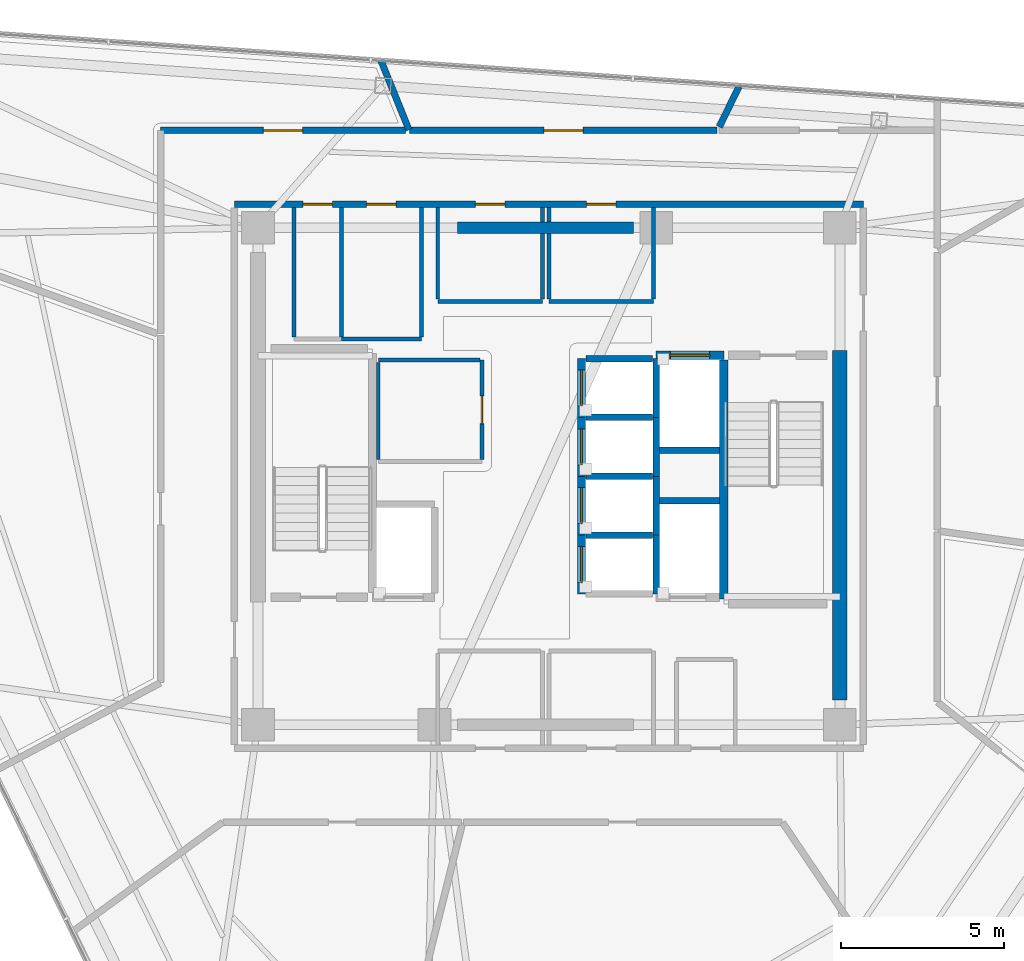
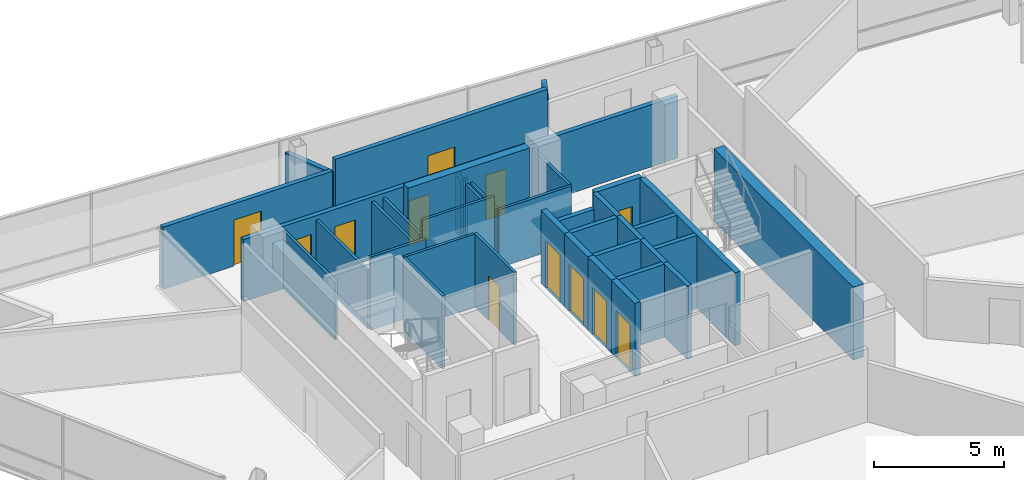
# One storey, part 10 of 13: 38 walls, 12 doors, 12 openings.
"""IFC4 building model written with IfcOpenShell, lengths in metres."""

from ifc_helpers import new_model, si_unit, direction, frame, frame_2d, origin, place, context, subcontext, project, spatial, rectangle, extrude, material, layer, layer_set, type_object, element, fill, save


model = new_model("IFC4")

# Units and contexts
model_context = context("Model", 3, precision=1e-05, world=origin(), true_north=direction((0.0, 1.0)))
body_context = subcontext(model_context, "Body", "Model", "MODEL_VIEW")
ifc_project = project(units=[si_unit("LENGTHUNIT", "METRE"), si_unit("AREAUNIT", "SQUARE_METRE"), si_unit("VOLUMEUNIT", "CUBIC_METRE"), si_unit("PLANEANGLEUNIT", "RADIAN"), si_unit("MASSUNIT", "GRAM", prefix="KILO")], contexts=[model_context])

# Site, building, storey
site_placement = place(None, origin())
site = spatial("IfcSite", under=ifc_project, at=site_placement, CompositionType="ELEMENT")
building_placement = place(site_placement, origin())
building = spatial("IfcBuilding", under=site, at=building_placement, Name="Tharavind Bronze Gate", CompositionType="ELEMENT")
storey_placement = place(building_placement, frame((0.0, 0.0, 234.25)))
storey = spatial("IfcBuildingStorey", under=building, at=storey_placement, Name="L60", CompositionType="ELEMENT", Elevation=234.25)

# Wall, openings, doors
ifc_material_1 = material(Name="Aerated Concrete Block", Category="concrete")
ifc_layer_1 = layer(ifc_material_1, 0.199951171875)
ifc_layer_set_1 = layer_set([ifc_layer_1], Name="Aerated Concrete Block")
wall_type_1 = type_object("IfcWallType", Name="FIRE RATED PARTITION 200", PredefinedType="PARTITIONING", material=ifc_layer_set_1)
wall_1_placement = place(storey_placement, frame((9.6201171875, 8.320068359375, 0.0), z_axis=(0.0, 0.0, 1.0), x_axis=(-1.0, 0.0, 0.0)))
wall_1 = element("IfcWall", 1, at=wall_1_placement, inside=storey, type_object=wall_type_1, Name="L60 north core corridor wall", PredefinedType="PARTITIONING", context=body_context, shape_type="SweptSolid", body=[
    extrude(rectangle(XDim=19.240234375, YDim=0.199951171875, at=frame_2d((9.6201171875, 0.0))), origin(), (0.0, 0.0, 1.0), 2.9150390625),
])
opening_1_placement = place(wall_1_placement, frame((10.969970703125, 0.0, 0.0)))
opening_1 = element("IfcOpeningElement", 2, at=opening_1_placement, cuts=wall_1, Name="Opening ID07", PredefinedType="OPENING", context=body_context, shape_type="SweptSolid", body=[
    extrude(rectangle(XDim=0.89990234375, YDim=2.10009765625, at=frame_2d((0.449951171875, 1.050048828125))), frame((0.0, 0.11009765625, 0.0), z_axis=(0.0, -1.0, 0.0), x_axis=(1.0, 0.0, 0.0)), (0.0, 0.0, 1.0), 0.219951171875),
])
opening_2_placement = place(wall_1_placement, frame((7.570068359375, 0.0, 0.0)))
opening_2 = element("IfcOpeningElement", 3, at=opening_2_placement, cuts=wall_1, Name="Opening ID07", PredefinedType="OPENING", context=body_context, shape_type="SweptSolid", body=[
    extrude(rectangle(XDim=0.89990234375, YDim=2.10009765625, at=frame_2d((0.449951171875, 1.050048828125))), frame((0.0, 0.11009765625, 0.0), z_axis=(0.0, -1.0, 0.0), x_axis=(1.0, 0.0, 0.0)), (0.0, 0.0, 1.0), 0.219951171875),
])
opening_3_placement = place(wall_1_placement, frame((16.2451171875, 0.0, 0.0)))
opening_3 = element("IfcOpeningElement", 4, at=opening_3_placement, cuts=wall_1, Name="Opening ID07", PredefinedType="OPENING", context=body_context, shape_type="SweptSolid", body=[
    extrude(rectangle(XDim=0.89990234375, YDim=2.10009765625, at=frame_2d((0.449951171875, 1.050048828125))), frame((0.0, 0.11009765625, 0.0), z_axis=(0.0, -1.0, 0.0), x_axis=(1.0, 0.0, 0.0)), (0.0, 0.0, 1.0), 0.219951171875),
])
opening_4_placement = place(wall_1_placement, frame((14.294921875, 0.0, 0.0)))
opening_4 = element("IfcOpeningElement", 5, at=opening_4_placement, cuts=wall_1, Name="Opening ID07", PredefinedType="OPENING", context=body_context, shape_type="SweptSolid", body=[
    extrude(rectangle(XDim=0.89990234375, YDim=2.10009765625, at=frame_2d((0.449951171875, 1.050048828125))), frame((0.0, 0.11009765625, 0.0), z_axis=(0.0, -1.0, 0.0), x_axis=(1.0, 0.0, 0.0)), (0.0, 0.0, 1.0), 0.219951171875),
])
ifc_material_2 = material(Name="Galvanised Fire Steel", Category="steel")
door_type_1 = type_object("IfcDoorType", Name="PLANT AND RISER FIRE DOOR 900X2100", OperationType="SINGLE_SWING_LEFT", PredefinedType="DOOR", material=ifc_material_2)
door_1_placement = place(opening_1_placement, frame((0.89990234375, 0.0, 0.0), z_axis=(0.0, 0.0, 1.0), x_axis=(-1.0, 0.0, 0.0)))
door_1 = element("IfcDoor", 6, at=door_1_placement, inside=storey, type_object=door_type_1, Name="L60 Core Telemetry Room fire door", OperationType="SINGLE_SWING_LEFT", OverallHeight=2.10009765625, OverallWidth=0.89990234375, PredefinedType="DOOR", context=body_context, shape_type="SweptSolid", body=[
    extrude(rectangle(XDim=0.89990234375, YDim=2.10009765625, at=frame_2d((0.449951171875, 1.050048828125))), frame((0.0, 0.02490234375, 0.0), z_axis=(0.0, -1.0, 0.0), x_axis=(1.0, 0.0, 0.0)), (0.0, 0.0, 1.0), 0.050048828125),
])
fill(opening_1, door_1)
door_2_placement = place(opening_2_placement, frame((0.89990234375, 0.0, 0.0), z_axis=(0.0, 0.0, 1.0), x_axis=(-1.0, 0.0, 0.0)))
door_2 = element("IfcDoor", 7, at=door_2_placement, inside=storey, type_object=door_type_1, Name="L60 Core Battery Room fire door", OperationType="SINGLE_SWING_LEFT", OverallHeight=2.10009765625, OverallWidth=0.89990234375, PredefinedType="DOOR", context=body_context, shape_type="SweptSolid", body=[
    extrude(rectangle(XDim=0.89990234375, YDim=2.10009765625, at=frame_2d((0.449951171875, 1.050048828125))), frame((0.0, 0.02490234375, 0.0), z_axis=(0.0, -1.0, 0.0), x_axis=(1.0, 0.0, 0.0)), (0.0, 0.0, 1.0), 0.050048828125),
])
fill(opening_2, door_2)
door_3_placement = place(opening_3_placement, frame((0.89990234375, 0.0, 0.0), z_axis=(0.0, 0.0, 1.0), x_axis=(-1.0, 0.0, 0.0)))
door_3 = element("IfcDoor", 8, at=door_3_placement, inside=storey, type_object=door_type_1, Name="L60 Battery Backup Cupboard fire door", OperationType="SINGLE_SWING_LEFT", OverallHeight=2.10009765625, OverallWidth=0.89990234375, PredefinedType="DOOR", context=body_context, shape_type="SweptSolid", body=[
    extrude(rectangle(XDim=0.89990234375, YDim=2.10009765625, at=frame_2d((0.449951171875, 1.050048828125))), frame((0.0, 0.02490234375, 0.0), z_axis=(0.0, -1.0, 0.0), x_axis=(1.0, 0.0, 0.0)), (0.0, 0.0, 1.0), 0.050048828125),
])
fill(opening_3, door_3)
door_4_placement = place(opening_4_placement, frame((0.89990234375, 0.0, 0.0), z_axis=(0.0, 0.0, 1.0), x_axis=(-1.0, 0.0, 0.0)))
door_4 = element("IfcDoor", 9, at=door_4_placement, inside=storey, type_object=door_type_1, Name="L60 Cleaner Store Room fire door", OperationType="SINGLE_SWING_LEFT", OverallHeight=2.10009765625, OverallWidth=0.89990234375, PredefinedType="DOOR", context=body_context, shape_type="SweptSolid", body=[
    extrude(rectangle(XDim=0.89990234375, YDim=2.10009765625, at=frame_2d((0.449951171875, 1.050048828125))), frame((0.0, 0.02490234375, 0.0), z_axis=(0.0, -1.0, 0.0), x_axis=(1.0, 0.0, 0.0)), (0.0, 0.0, 1.0), 0.050048828125),
])
fill(opening_4, door_4)

# Wall
wall_2_placement = place(storey_placement, frame((5.21142578125, 10.68505859375, 0.0), z_axis=(0.0, 0.0, 1.0), x_axis=(0.438374597956, 0.898792363044, 0.0)))
element("IfcWall", 10, at=wall_2_placement, inside=storey, type_object=wall_type_1, Name="L60 Transfer Reception Lounge partition", PredefinedType="PARTITIONING", context=body_context, shape_type="SweptSolid", body=[
    extrude(rectangle(XDim=1.373291015625, YDim=0.199951171875, at=frame_2d((0.6865234375, 0.0))), origin(), (0.0, 0.0, 1.0), 2.764892578125),
])

# Wall, opening, door
wall_3_placement = place(storey_placement, frame((5.14453125, 10.580078125, 0.0), z_axis=(0.0, 0.0, 1.0), x_axis=(-1.0, 0.0, 0.0)))
wall_3 = element("IfcWall", 11, at=wall_3_placement, inside=storey, type_object=wall_type_1, Name="L60 Business Concierge Lounge partition", PredefinedType="PARTITIONING", context=body_context, shape_type="SweptSolid", body=[
    extrude(rectangle(XDim=9.40234375, YDim=0.199951171875, at=frame_2d((4.701171875, 0.0))), origin(), (0.0, 0.0, 1.0), 3.419921875),
])
opening_5_placement = place(wall_3_placement, frame((4.10107421875, 0.0, 0.0)))
opening_5 = element("IfcOpeningElement", 12, at=opening_5_placement, cuts=wall_3, Name="Opening ID05", PredefinedType="OPENING", context=body_context, shape_type="SweptSolid", body=[
    extrude(rectangle(XDim=1.199951171875, YDim=2.14990234375, at=frame_2d((0.60009765625, 1.074951171875))), frame((0.0, 0.11009765625, 0.0), z_axis=(0.0, -1.0, 0.0), x_axis=(1.0, 0.0, 0.0)), (0.0, 0.0, 1.0), 0.219951171875),
])
ifc_material_3 = material(Name="Acoustic Laminated Glass", Category="glass")
door_type_2 = type_object("IfcDoorType", Name="MEETING ROOM GLAZED DOOR 1200X2150", OperationType="SINGLE_SWING_LEFT", PredefinedType="DOOR", material=ifc_material_3)
door_5_placement = place(opening_5_placement, origin())
door_5 = element("IfcDoor", 13, at=door_5_placement, inside=storey, type_object=door_type_2, Name="L60 Business Concierge Lounge door", OperationType="SINGLE_SWING_LEFT", OverallHeight=2.14990234375, OverallWidth=1.199951171875, PredefinedType="DOOR", context=body_context, shape_type="SweptSolid", body=[
    extrude(rectangle(XDim=1.199951171875, YDim=2.14990234375, at=frame_2d((0.60009765625, 1.074951171875))), frame((0.0, 0.02490234375, 0.0), z_axis=(0.0, -1.0, 0.0), x_axis=(1.0, 0.0, 0.0)), (0.0, 0.0, 1.0), 0.050048828125),
])
fill(opening_5, door_5)

# Wall
wall_4_placement = place(storey_placement, frame((-4.281005859375, 10.595703125, 0.0), z_axis=(0.0, 0.0, 1.0), x_axis=(-0.374559063523, 0.927203056473, 0.0)))
element("IfcWall", 14, at=wall_4_placement, inside=storey, type_object=wall_type_1, Name="L60 Business Concierge Lounge partition", PredefinedType="PARTITIONING", context=body_context, shape_type="SweptSolid", body=[
    extrude(rectangle(XDim=2.270263671875, YDim=0.199951171875, at=frame_2d((1.13525390625, 0.0))), origin(), (0.0, 0.0, 1.0), 2.764892578125),
])

# Wall, opening, door
wall_5_placement = place(storey_placement, frame((-4.3876953125, 10.580078125, 0.0), z_axis=(0.0, 0.0, 1.0), x_axis=(-1.0, 0.0, 0.0)))
wall_5 = element("IfcWall", 15, at=wall_5_placement, inside=storey, type_object=wall_type_1, Name="L60 Executive Briefing Room partition", PredefinedType="PARTITIONING", context=body_context, shape_type="SweptSolid", body=[
    extrude(rectangle(XDim=7.49169921875, YDim=0.199951171875, at=frame_2d((3.745849609375, 0.0))), origin(), (0.0, 0.0, 1.0), 2.9150390625),
])
opening_6_placement = place(wall_5_placement, frame((3.14599609375, 0.0, 0.0)))
opening_6 = element("IfcOpeningElement", 16, at=opening_6_placement, cuts=wall_5, Name="Opening ID05", PredefinedType="OPENING", context=body_context, shape_type="SweptSolid", body=[
    extrude(rectangle(XDim=1.199951171875, YDim=2.14990234375, at=frame_2d((0.60009765625, 1.074951171875))), frame((0.0, 0.11009765625, 0.0), z_axis=(0.0, -1.0, 0.0), x_axis=(1.0, 0.0, 0.0)), (0.0, 0.0, 1.0), 0.219951171875),
])
door_6_placement = place(opening_6_placement, origin())
door_6 = element("IfcDoor", 17, at=door_6_placement, inside=storey, type_object=door_type_2, Name="L60 Executive Briefing Room door", OperationType="SINGLE_SWING_LEFT", OverallHeight=2.14990234375, OverallWidth=1.199951171875, PredefinedType="DOOR", context=body_context, shape_type="SweptSolid", body=[
    extrude(rectangle(XDim=1.199951171875, YDim=2.14990234375, at=frame_2d((0.60009765625, 1.074951171875))), frame((0.0, 0.02490234375, 0.0), z_axis=(0.0, -1.0, 0.0), x_axis=(1.0, 0.0, 0.0)), (0.0, 0.0, 1.0), 0.050048828125),
])
fill(opening_6, door_6)

ifc_material_4 = material(Name="Metal Stud Gypsum Partition", Category="gypsum")
ifc_layer_2 = layer(ifc_material_4, 0.1201171875)
ifc_layer_set_2 = layer_set([ifc_layer_2], Name="Metal Stud Gypsum Partition")
wall_type_2 = type_object("IfcWallType", Name="INTERIOR PARTITION WALL 120", PredefinedType="PARTITIONING", material=ifc_layer_set_2)
wall_6_placement = place(storey_placement, frame((-2.050048828125, 0.514892578125, 0.0), z_axis=(0.0, 0.0, 1.0), x_axis=(0.0, 1.0, 0.0)))
wall_6 = element("IfcWall", 18, at=wall_6_placement, inside=storey, type_object=wall_type_2, Name="L60 Electrical & Telecom Store partition 2", PredefinedType="PARTITIONING", context=body_context, shape_type="SweptSolid", body=[
    extrude(rectangle(XDim=3.03515625, YDim=0.1201171875, at=frame_2d((1.517578125, 0.0))), origin(), (0.0, 0.0, 1.0), 3.419921875),
])
opening_7_placement = place(wall_6_placement, frame((1.092041015625, 0.0, 0.0)))
opening_7 = element("IfcOpeningElement", 19, at=opening_7_placement, cuts=wall_6, Name="Opening ID06", PredefinedType="OPENING", context=body_context, shape_type="SweptSolid", body=[
    extrude(rectangle(XDim=0.85009765625, YDim=2.10009765625, at=frame_2d((0.425048828125, 1.050048828125))), frame((0.0, 0.07005859375, 0.0), z_axis=(0.0, -1.0, 0.0), x_axis=(1.0, 0.0, 0.0)), (0.0, 0.0, 1.0), 0.1401171875),
])
ifc_material_5 = material(Name="Moisture-Resistant Timber", Category="wood")
door_type_3 = type_object("IfcDoorType", Name="BATHROOM PRIVACY DOOR 850X2100", OperationType="SINGLE_SWING_RIGHT", PredefinedType="DOOR", material=ifc_material_5)
door_7_placement = place(opening_7_placement, frame((0.85009765625, 0.0, 0.0), z_axis=(0.0, 0.0, 1.0), x_axis=(-1.0, 0.0, 0.0)))
door_7 = element("IfcDoor", 20, at=door_7_placement, inside=storey, type_object=door_type_3, Name="L60 Electrical & Telecom Store door", OperationType="SINGLE_SWING_RIGHT", OverallHeight=2.10009765625, OverallWidth=0.85009765625, PredefinedType="DOOR", context=body_context, shape_type="SweptSolid", body=[
    extrude(rectangle(XDim=0.85009765625, YDim=2.10009765625, at=frame_2d((0.425048828125, 1.050048828125))), frame((0.0, 0.02490234375, 0.0), z_axis=(0.0, -1.0, 0.0), x_axis=(1.0, 0.0, 0.0)), (0.0, 0.0, 1.0), 0.050048828125),
])
fill(opening_7, door_7)

# Walls
wall_7_placement = place(storey_placement, frame((-2.114990234375, 3.550048828125, 0.0), z_axis=(0.0, 0.0, 1.0), x_axis=(-1.0, 0.0, 0.0)))
element("IfcWall", 21, at=wall_7_placement, inside=storey, type_object=wall_type_2, Name="L60 Electrical & Telecom Store partition 3", PredefinedType="PARTITIONING", context=body_context, shape_type="SweptSolid", body=[
    extrude(rectangle(XDim=3.10498046875, YDim=0.1201171875, at=frame_2d((1.552490234375, 0.0))), origin(), (0.0, 0.0, 1.0), 3.419921875),
])
wall_8_placement = place(storey_placement, frame((-5.219970703125, 3.485107421875, 0.0), z_axis=(0.0, 0.0, 1.0), x_axis=(0.0, -1.0, 0.0)))
element("IfcWall", 22, at=wall_8_placement, inside=storey, type_object=wall_type_2, Name="L60 Electrical & Telecom Store partition 4", PredefinedType="PARTITIONING", context=body_context, shape_type="SweptSolid", body=[
    extrude(rectangle(XDim=2.97021484375, YDim=0.1201171875, at=frame_2d((1.485107421875, 0.0))), origin(), (0.0, 0.0, 1.0), 3.419921875),
])
wall_9_placement = place(storey_placement, frame((-3.39990234375, 5.35009765625, 0.0), z_axis=(0.0, 0.0, 1.0), x_axis=(1.0, 0.0, 0.0)))
element("IfcWall", 23, at=wall_9_placement, inside=storey, type_object=wall_type_2, Name="L60 Core Telemetry Room partition 1", PredefinedType="PARTITIONING", context=body_context, shape_type="SweptSolid", body=[
    extrude(rectangle(XDim=3.199951171875, YDim=0.1201171875, at=frame_2d((1.60009765625, 0.0))), origin(), (0.0, 0.0, 1.0), 3.419921875),
])
wall_10_placement = place(storey_placement, frame((-0.199951171875, 5.4150390625, 0.0), z_axis=(0.0, 0.0, 1.0), x_axis=(0.0, 1.0, 0.0)))
element("IfcWall", 24, at=wall_10_placement, inside=storey, type_object=wall_type_2, Name="L60 Core Telemetry Room partition 2", PredefinedType="PARTITIONING", context=body_context, shape_type="SweptSolid", body=[
    extrude(rectangle(XDim=2.0048828125, YDim=0.1201171875, at=frame_2d((1.00244140625, 0.0))), origin(), (0.0, 0.0, 1.0), 2.715087890625),
])
wall_11_placement = place(storey_placement, frame((-0.199951171875, 7.780029296875, 0.0), z_axis=(0.0, 0.0, 1.0), x_axis=(0.0, 1.0, 0.0)))
element("IfcWall", 25, at=wall_11_placement, inside=storey, type_object=wall_type_2, Name="L60 Core Telemetry Room partition 2", PredefinedType="PARTITIONING", context=body_context, shape_type="SweptSolid", body=[
    extrude(rectangle(XDim=0.43505859375, YDim=0.1201171875, at=frame_2d((0.217529296875, 0.0))), origin(), (0.0, 0.0, 1.0), 2.715087890625),
])
wall_12_placement = place(storey_placement, frame((-3.39990234375, 8.215087890625, 0.0), z_axis=(0.0, 0.0, 1.0), x_axis=(0.0, -1.0, 0.0)))
element("IfcWall", 26, at=wall_12_placement, inside=storey, type_object=wall_type_2, Name="L60 Core Telemetry Room partition 4", PredefinedType="PARTITIONING", context=body_context, shape_type="SweptSolid", body=[
    extrude(rectangle(XDim=2.800048828125, YDim=0.1201171875, at=frame_2d((1.39990234375, 0.0))), origin(), (0.0, 0.0, 1.0), 2.715087890625),
])
wall_13_placement = place(storey_placement, frame((0.0, 5.35009765625, 0.0), z_axis=(0.0, 0.0, 1.0), x_axis=(1.0, 0.0, 0.0)))
element("IfcWall", 27, at=wall_13_placement, inside=storey, type_object=wall_type_2, Name="L60 Core Battery Room partition 1", PredefinedType="PARTITIONING", context=body_context, shape_type="SweptSolid", body=[
    extrude(rectangle(XDim=3.199951171875, YDim=0.1201171875, at=frame_2d((1.60009765625, 0.0))), origin(), (0.0, 0.0, 1.0), 2.715087890625),
])
wall_14_placement = place(storey_placement, frame((3.199951171875, 5.4150390625, 0.0), z_axis=(0.0, 0.0, 1.0), x_axis=(0.0, 1.0, 0.0)))
element("IfcWall", 28, at=wall_14_placement, inside=storey, type_object=wall_type_2, Name="L60 Core Battery Room partition 2", PredefinedType="PARTITIONING", context=body_context, shape_type="SweptSolid", body=[
    extrude(rectangle(XDim=2.800048828125, YDim=0.1201171875, at=frame_2d((1.39990234375, 0.0))), origin(), (0.0, 0.0, 1.0), 2.715087890625),
])
wall_15_placement = place(storey_placement, frame((0.0, 8.215087890625, 0.0), z_axis=(0.0, 0.0, 1.0), x_axis=(0.0, -1.0, 0.0)))
element("IfcWall", 29, at=wall_15_placement, inside=storey, type_object=wall_type_2, Name="L60 Core Battery Room partition 4", PredefinedType="PARTITIONING", context=body_context, shape_type="SweptSolid", body=[
    extrude(rectangle(XDim=0.43505859375, YDim=0.1201171875, at=frame_2d((0.217529296875, 0.0))), origin(), (0.0, 0.0, 1.0), 2.715087890625),
])
wall_16_placement = place(storey_placement, frame((0.0, 7.419921875, 0.0), z_axis=(0.0, 0.0, 1.0), x_axis=(0.0, -1.0, 0.0)))
element("IfcWall", 30, at=wall_16_placement, inside=storey, type_object=wall_type_2, Name="L60 Core Battery Room partition 4", PredefinedType="PARTITIONING", context=body_context, shape_type="SweptSolid", body=[
    extrude(rectangle(XDim=2.0048828125, YDim=0.1201171875, at=frame_2d((1.00244140625, 0.0))), origin(), (0.0, 0.0, 1.0), 2.715087890625),
])
for number, where, z_axis, x_axis, name in (
    (31, (-6.35009765625, 4.264892578125, 0.0), (0.0, 0.0, 1.0), (0.0, 1.0, 0.0), "L60 Battery Backup Cupboard partition 2"),
    (32, (-7.800048828125, 8.215087890625, 0.0), (0.0, 0.0, 1.0), (0.0, -1.0, 0.0), "L60 Battery Backup Cupboard partition 4"),
):
    element("IfcWall", number, at=place(storey_placement, frame(where, z_axis=z_axis, x_axis=x_axis)), inside=storey, type_object=wall_type_2, Name=name, PredefinedType="PARTITIONING", context=body_context, shape_type="SweptSolid", body=[
        extrude(rectangle(XDim=3.9501953125, YDim=0.1201171875, at=frame_2d((1.97509765625, 0.0))), origin(), (0.0, 0.0, 1.0), 2.715087890625),
    ])
wall_17_placement = place(storey_placement, frame((-6.35009765625, 4.199951171875, 0.0), z_axis=(0.0, 0.0, 1.0), x_axis=(1.0, 0.0, 0.0)))
element("IfcWall", 33, at=wall_17_placement, inside=storey, type_object=wall_type_2, Name="L60 Cleaner Store Room partition 1", PredefinedType="PARTITIONING", context=body_context, shape_type="SweptSolid", body=[
    extrude(rectangle(XDim=2.4501953125, YDim=0.1201171875, at=frame_2d((1.22509765625, 0.0))), origin(), (0.0, 0.0, 1.0), 3.419921875),
])
wall_18_placement = place(storey_placement, frame((-3.89990234375, 4.264892578125, 0.0), z_axis=(0.0, 0.0, 1.0), x_axis=(0.0, 1.0, 0.0)))
element("IfcWall", 34, at=wall_18_placement, inside=storey, type_object=wall_type_2, Name="L60 Cleaner Store Room partition 2", PredefinedType="PARTITIONING", context=body_context, shape_type="SweptSolid", body=[
    extrude(rectangle(XDim=3.9501953125, YDim=0.1201171875, at=frame_2d((1.97509765625, 0.0))), origin(), (0.0, 0.0, 1.0), 2.715087890625),
])
ifc_material_6 = material(Name="Concrete C50/60", Category="concrete")
ifc_layer_3 = layer(ifc_material_6, 0.25)
ifc_layer_set_3 = layer_set([ifc_layer_3], Name="Concrete C50/60")
wall_type_3 = type_object("IfcWallType", Name="RC CORE SHEAR WALL 250", PredefinedType="SHEAR", material=ifc_layer_set_3)
wall_19_placement = place(storey_placement, frame((5.35009765625, -3.75, 0.0), z_axis=(0.0, 0.0, 1.0), x_axis=(0.0, 1.0, 0.0)))
element("IfcWall", 35, at=wall_19_placement, inside=storey, type_object=wall_type_3, Name="L60 ST2 shaft west wall", PredefinedType="SHEAR", context=body_context, shape_type="SweptSolid", body=[
    extrude(rectangle(XDim=7.300048828125, YDim=0.25, at=frame_2d((3.64990234375, 0.0))), origin(), (0.0, 0.0, 1.0), 3.419921875),
])

# Wall, opening, door
wall_20_placement = place(storey_placement, frame((1.0, -3.60009765625, 0.0), z_axis=(0.0, 0.0, 1.0), x_axis=(0.0, 1.0, 0.0)))
wall_20 = element("IfcWall", 36, at=wall_20_placement, inside=storey, type_object=wall_type_3, Name="L60 lift PL9 shaft front wall", PredefinedType="SHEAR", context=body_context, shape_type="SweptSolid", body=[
    extrude(rectangle(XDim=1.800048828125, YDim=0.25, at=frame_2d((0.89990234375, 0.0))), origin(), (0.0, 0.0, 1.0), 3.419921875),
])
opening_8_placement = place(wall_20_placement, frame((0.35009765625, 0.0, 0.0)))
opening_8 = element("IfcOpeningElement", 37, at=opening_8_placement, cuts=wall_20, Name="Opening LD01", PredefinedType="OPENING", context=body_context, shape_type="SweptSolid", body=[
    extrude(rectangle(XDim=1.10009765625, YDim=2.199951171875, at=frame_2d((0.550048828125, 1.10009765625))), frame((0.0, 0.135, 0.0), z_axis=(0.0, -1.0, 0.0), x_axis=(1.0, 0.0, 0.0)), (0.0, 0.0, 1.0), 0.27),
])
ifc_material_7 = material(Name="Brushed Bronze Stainless Steel", Category="steel")
door_type_4 = type_object("IfcDoorType", Name="LIFT LANDING SLIDING DOOR 1100X2200", OperationType="SLIDING_TO_LEFT", PredefinedType="DOOR", material=ifc_material_7)
door_8_placement = place(opening_8_placement, origin())
door_8 = element("IfcDoor", 38, at=door_8_placement, inside=storey, type_object=door_type_4, Name="L60 lift PL9 sliding landing door", OperationType="SLIDING_TO_LEFT", OverallHeight=2.199951171875, OverallWidth=1.10009765625, PredefinedType="DOOR", context=body_context, shape_type="SweptSolid", body=[
    extrude(rectangle(XDim=1.10009765625, YDim=2.199951171875, at=frame_2d((0.550048828125, 1.10009765625))), frame((0.0, 0.02490234375, 0.0), z_axis=(0.0, -1.0, 0.0), x_axis=(1.0, 0.0, 0.0)), (0.0, 0.0, 1.0), 0.050048828125),
])
fill(opening_8, door_8)

wall_21_placement = place(storey_placement, frame((1.0, -1.800048828125, 0.0), z_axis=(0.0, 0.0, 1.0), x_axis=(0.0, 1.0, 0.0)))
wall_21 = element("IfcWall", 39, at=wall_21_placement, inside=storey, type_object=wall_type_3, Name="L60 lift PL10 shaft front wall", PredefinedType="SHEAR", context=body_context, shape_type="SweptSolid", body=[
    extrude(rectangle(XDim=1.800048828125, YDim=0.25, at=frame_2d((0.89990234375, 0.0))), origin(), (0.0, 0.0, 1.0), 3.419921875),
])
opening_9_placement = place(wall_21_placement, frame((0.35009765625, 0.0, 0.0)))
opening_9 = element("IfcOpeningElement", 40, at=opening_9_placement, cuts=wall_21, Name="Opening LD01", PredefinedType="OPENING", context=body_context, shape_type="SweptSolid", body=[
    extrude(rectangle(XDim=1.10009765625, YDim=2.199951171875, at=frame_2d((0.550048828125, 1.10009765625))), frame((0.0, 0.135, 0.0), z_axis=(0.0, -1.0, 0.0), x_axis=(1.0, 0.0, 0.0)), (0.0, 0.0, 1.0), 0.27),
])
door_9_placement = place(opening_9_placement, origin())
door_9 = element("IfcDoor", 41, at=door_9_placement, inside=storey, type_object=door_type_4, Name="L60 lift PL10 sliding landing door", OperationType="SLIDING_TO_LEFT", OverallHeight=2.199951171875, OverallWidth=1.10009765625, PredefinedType="DOOR", context=body_context, shape_type="SweptSolid", body=[
    extrude(rectangle(XDim=1.10009765625, YDim=2.199951171875, at=frame_2d((0.550048828125, 1.10009765625))), frame((0.0, 0.02490234375, 0.0), z_axis=(0.0, -1.0, 0.0), x_axis=(1.0, 0.0, 0.0)), (0.0, 0.0, 1.0), 0.050048828125),
])
fill(opening_9, door_9)

wall_22_placement = place(storey_placement, frame((1.0, 0.0, 0.0), z_axis=(0.0, 0.0, 1.0), x_axis=(0.0, 1.0, 0.0)))
wall_22 = element("IfcWall", 42, at=wall_22_placement, inside=storey, type_object=wall_type_3, Name="L60 lift PL11 shaft front wall", PredefinedType="SHEAR", context=body_context, shape_type="SweptSolid", body=[
    extrude(rectangle(XDim=1.800048828125, YDim=0.25, at=frame_2d((0.89990234375, 0.0))), origin(), (0.0, 0.0, 1.0), 3.419921875),
])
opening_10_placement = place(wall_22_placement, frame((0.35009765625, 0.0, 0.0)))
opening_10 = element("IfcOpeningElement", 43, at=opening_10_placement, cuts=wall_22, Name="Opening LD01", PredefinedType="OPENING", context=body_context, shape_type="SweptSolid", body=[
    extrude(rectangle(XDim=1.10009765625, YDim=2.199951171875, at=frame_2d((0.550048828125, 1.10009765625))), frame((0.0, 0.135, 0.0), z_axis=(0.0, -1.0, 0.0), x_axis=(1.0, 0.0, 0.0)), (0.0, 0.0, 1.0), 0.27),
])
door_10_placement = place(opening_10_placement, origin())
door_10 = element("IfcDoor", 44, at=door_10_placement, inside=storey, type_object=door_type_4, Name="L60 lift PL11 sliding landing door", OperationType="SLIDING_TO_LEFT", OverallHeight=2.199951171875, OverallWidth=1.10009765625, PredefinedType="DOOR", context=body_context, shape_type="SweptSolid", body=[
    extrude(rectangle(XDim=1.10009765625, YDim=2.199951171875, at=frame_2d((0.550048828125, 1.10009765625))), frame((0.0, 0.02490234375, 0.0), z_axis=(0.0, -1.0, 0.0), x_axis=(1.0, 0.0, 0.0)), (0.0, 0.0, 1.0), 0.050048828125),
])
fill(opening_10, door_10)

wall_23_placement = place(storey_placement, frame((1.0, 1.800048828125, 0.0), z_axis=(0.0, 0.0, 1.0), x_axis=(0.0, 1.0, 0.0)))
wall_23 = element("IfcWall", 45, at=wall_23_placement, inside=storey, type_object=wall_type_3, Name="L60 lift PL12 shaft front wall", PredefinedType="SHEAR", context=body_context, shape_type="SweptSolid", body=[
    extrude(rectangle(XDim=1.800048828125, YDim=0.25, at=frame_2d((0.89990234375, 0.0))), origin(), (0.0, 0.0, 1.0), 3.419921875),
])
opening_11_placement = place(wall_23_placement, frame((0.35009765625, 0.0, 0.0)))
opening_11 = element("IfcOpeningElement", 46, at=opening_11_placement, cuts=wall_23, Name="Opening LD01", PredefinedType="OPENING", context=body_context, shape_type="SweptSolid", body=[
    extrude(rectangle(XDim=1.10009765625, YDim=2.199951171875, at=frame_2d((0.550048828125, 1.10009765625))), frame((0.0, 0.135, 0.0), z_axis=(0.0, -1.0, 0.0), x_axis=(1.0, 0.0, 0.0)), (0.0, 0.0, 1.0), 0.27),
])
door_11_placement = place(opening_11_placement, origin())
door_11 = element("IfcDoor", 47, at=door_11_placement, inside=storey, type_object=door_type_4, Name="L60 lift PL12 sliding landing door", OperationType="SLIDING_TO_LEFT", OverallHeight=2.199951171875, OverallWidth=1.10009765625, PredefinedType="DOOR", context=body_context, shape_type="SweptSolid", body=[
    extrude(rectangle(XDim=1.10009765625, YDim=2.199951171875, at=frame_2d((0.550048828125, 1.10009765625))), frame((0.0, 0.02490234375, 0.0), z_axis=(0.0, -1.0, 0.0), x_axis=(1.0, 0.0, 0.0)), (0.0, 0.0, 1.0), 0.050048828125),
])
fill(opening_11, door_11)

wall_24_placement = place(storey_placement, frame((3.280029296875, 3.699951171875, 0.0), z_axis=(0.0, 0.0, 1.0), x_axis=(1.0, 0.0, 0.0)))
wall_24 = element("IfcWall", 48, at=wall_24_placement, inside=storey, type_object=wall_type_3, Name="L60 lift FFL2 shaft front wall", PredefinedType="SHEAR", context=body_context, shape_type="SweptSolid", body=[
    extrude(rectangle(XDim=2.070068359375, YDim=0.25, at=frame_2d((1.03515625, 0.0))), origin(), (0.0, 0.0, 1.0), 3.419921875),
])
opening_12_placement = place(wall_24_placement, frame((0.43505859375, 0.0, 0.0)))
opening_12 = element("IfcOpeningElement", 49, at=opening_12_placement, cuts=wall_24, Name="Opening LD02", PredefinedType="OPENING", context=body_context, shape_type="SweptSolid", body=[
    extrude(rectangle(XDim=1.199951171875, YDim=2.199951171875, at=frame_2d((0.60009765625, 1.10009765625))), frame((0.0, 0.135, 0.0), z_axis=(0.0, -1.0, 0.0), x_axis=(1.0, 0.0, 0.0)), (0.0, 0.0, 1.0), 0.27),
])
ifc_material_8 = material(Name="Brushed Stainless Steel", Category="steel")
door_type_5 = type_object("IfcDoorType", Name="FIREFIGHTING LIFT LANDING DOOR 1200X2200", OperationType="SLIDING_TO_RIGHT", PredefinedType="DOOR", material=ifc_material_8)
door_12_placement = place(opening_12_placement, origin())
door_12 = element("IfcDoor", 50, at=door_12_placement, inside=storey, type_object=door_type_5, Name="L60 lift FFL2 sliding landing door", OperationType="SLIDING_TO_RIGHT", OverallHeight=2.199951171875, OverallWidth=1.199951171875, PredefinedType="DOOR", context=body_context, shape_type="SweptSolid", body=[
    extrude(rectangle(XDim=1.199951171875, YDim=2.199951171875, at=frame_2d((0.60009765625, 1.10009765625))), frame((0.0, 0.02490234375, 0.0), z_axis=(0.0, -1.0, 0.0), x_axis=(1.0, 0.0, 0.0)), (0.0, 0.0, 1.0), 0.050048828125),
])
fill(opening_12, door_12)

# Walls
ifc_layer_4 = layer(ifc_material_6, 0.35009765625)
ifc_layer_set_4 = layer_set([ifc_layer_4], Name="Concrete C50/60")
wall_type_4 = type_object("IfcWallType", Name="RC CORE SHEAR WALL 350", PredefinedType="SHEAR", material=ifc_layer_set_4)
wall_25_placement = place(storey_placement, frame((-2.800048828125, 7.60009765625, 0.0), z_axis=(0.0, 0.0, 1.0), x_axis=(1.0, 0.0, 0.0)))
element("IfcWall", 51, at=wall_25_placement, inside=storey, type_object=wall_type_4, Name="L60 north core shear wall", PredefinedType="SHEAR", context=body_context, shape_type="SweptSolid", body=[
    extrude(rectangle(XDim=5.380126953125, YDim=0.35009765625, at=frame_2d((2.68994140625, 0.0))), origin(), (0.0, 0.0, 1.0), 3.419921875),
])
ifc_material_9 = material(Name="Concrete C60/75", Category="concrete")
ifc_layer_5 = layer(ifc_material_9, 0.449951171875)
ifc_layer_set_5 = layer_set([ifc_layer_5], Name="Concrete C60/75")
wall_type_5 = type_object("IfcWallType", Name="RC CORE SHEAR WALL 450", PredefinedType="SHEAR", material=ifc_layer_set_5)
wall_26_placement = place(storey_placement, frame((8.89990234375, -6.85009765625, 0.0), z_axis=(0.0, 0.0, 1.0), x_axis=(0.0, 1.0, 0.0)))
element("IfcWall", 52, at=wall_26_placement, inside=storey, type_object=wall_type_5, Name="L60 east core shear wall", PredefinedType="SHEAR", context=body_context, shape_type="SweptSolid", body=[
    extrude(rectangle(XDim=10.7001953125, YDim=0.449951171875, at=frame_2d((5.35009765625, 0.0))), origin(), (0.0, 0.0, 1.0), 3.419921875),
])
ifc_material_10 = material(Name="Concrete C40/50", Category="concrete")
ifc_layer_6 = layer(ifc_material_10, 0.199951171875)
ifc_layer_set_6 = layer_set([ifc_layer_6], Name="Concrete C40/50")
wall_type_6 = type_object("IfcWallType", Name="SHAFT ENCLOSURE WALL 200", PredefinedType="PARTITIONING", material=ifc_layer_set_6)
wall_27_placement = place(storey_placement, frame((3.280029296875, -3.60009765625, 0.0), z_axis=(0.0, 0.0, 1.0), x_axis=(0.0, 1.0, 0.0)))
element("IfcWall", 53, at=wall_27_placement, inside=storey, type_object=wall_type_6, Name="L60 lift PL9 shaft E enclosure wall", PredefinedType="PARTITIONING", context=body_context, shape_type="SweptSolid", body=[
    extrude(rectangle(XDim=1.800048828125, YDim=0.199951171875, at=frame_2d((0.89990234375, 0.0))), origin(), (0.0, 0.0, 1.0), 3.419921875),
])
wall_28_placement = place(storey_placement, frame((1.1298828125, -1.800048828125, 0.0), z_axis=(0.0, 0.0, 1.0), x_axis=(1.0, 0.0, 0.0)))
element("IfcWall", 54, at=wall_28_placement, inside=storey, type_object=wall_type_6, Name="L60 lift PL9 shaft N enclosure wall", PredefinedType="PARTITIONING", context=body_context, shape_type="SweptSolid", body=[
    extrude(rectangle(XDim=2.045166015625, YDim=0.199951171875, at=frame_2d((1.0224609375, 0.0))), origin(), (0.0, 0.0, 1.0), 3.419921875),
])
wall_29_placement = place(storey_placement, frame((3.280029296875, -1.800048828125, 0.0), z_axis=(0.0, 0.0, 1.0), x_axis=(0.0, 1.0, 0.0)))
element("IfcWall", 55, at=wall_29_placement, inside=storey, type_object=wall_type_6, Name="L60 lift PL10 shaft E enclosure wall", PredefinedType="PARTITIONING", context=body_context, shape_type="SweptSolid", body=[
    extrude(rectangle(XDim=1.800048828125, YDim=0.199951171875, at=frame_2d((0.89990234375, 0.0))), origin(), (0.0, 0.0, 1.0), 3.419921875),
])
wall_30_placement = place(storey_placement, frame((1.1298828125, 0.0, 0.0), z_axis=(0.0, 0.0, 1.0), x_axis=(1.0, 0.0, 0.0)))
element("IfcWall", 56, at=wall_30_placement, inside=storey, type_object=wall_type_6, Name="L60 lift PL10 shaft N enclosure wall", PredefinedType="PARTITIONING", context=body_context, shape_type="SweptSolid", body=[
    extrude(rectangle(XDim=2.045166015625, YDim=0.199951171875, at=frame_2d((1.0224609375, 0.0))), origin(), (0.0, 0.0, 1.0), 3.419921875),
])
wall_31_placement = place(storey_placement, frame((3.280029296875, 0.0, 0.0), z_axis=(0.0, 0.0, 1.0), x_axis=(0.0, 1.0, 0.0)))
element("IfcWall", 57, at=wall_31_placement, inside=storey, type_object=wall_type_6, Name="L60 lift PL11 shaft E enclosure wall", PredefinedType="PARTITIONING", context=body_context, shape_type="SweptSolid", body=[
    extrude(rectangle(XDim=1.800048828125, YDim=0.199951171875, at=frame_2d((0.89990234375, 0.0))), origin(), (0.0, 0.0, 1.0), 3.419921875),
])
wall_32_placement = place(storey_placement, frame((1.1298828125, 1.800048828125, 0.0), z_axis=(0.0, 0.0, 1.0), x_axis=(1.0, 0.0, 0.0)))
element("IfcWall", 58, at=wall_32_placement, inside=storey, type_object=wall_type_6, Name="L60 lift PL11 shaft N enclosure wall", PredefinedType="PARTITIONING", context=body_context, shape_type="SweptSolid", body=[
    extrude(rectangle(XDim=2.045166015625, YDim=0.199951171875, at=frame_2d((1.0224609375, 0.0))), origin(), (0.0, 0.0, 1.0), 3.419921875),
])
wall_33_placement = place(storey_placement, frame((3.280029296875, 1.800048828125, 0.0), z_axis=(0.0, 0.0, 1.0), x_axis=(0.0, 1.0, 0.0)))
element("IfcWall", 59, at=wall_33_placement, inside=storey, type_object=wall_type_6, Name="L60 lift PL12 shaft E enclosure wall", PredefinedType="PARTITIONING", context=body_context, shape_type="SweptSolid", body=[
    extrude(rectangle(XDim=1.800048828125, YDim=0.199951171875, at=frame_2d((0.89990234375, 0.0))), origin(), (0.0, 0.0, 1.0), 3.419921875),
])
wall_34_placement = place(storey_placement, frame((1.1298828125, 3.60009765625, 0.0), z_axis=(0.0, 0.0, 1.0), x_axis=(1.0, 0.0, 0.0)))
element("IfcWall", 60, at=wall_34_placement, inside=storey, type_object=wall_type_6, Name="L60 lift PL12 shaft N enclosure wall", PredefinedType="PARTITIONING", context=body_context, shape_type="SweptSolid", body=[
    extrude(rectangle(XDim=2.045166015625, YDim=0.199951171875, at=frame_2d((1.0224609375, 0.0))), origin(), (0.0, 0.0, 1.0), 2.715087890625),
])
for number, where, z_axis, x_axis, name in (
    (61, (3.385009765625, 0.800048828125, 0.0), (0.0, 0.0, 1.0), (1.0, 0.0, 0.0), "L60 lift FFL2 shaft S enclosure wall"),
    (62, (3.385009765625, -0.75, 0.0), (0.0, 0.0, 1.0), (1.0, 0.0, 0.0), "L60 lift SVL1 shaft N enclosure wall"),
):
    element("IfcWall", number, at=place(storey_placement, frame(where, z_axis=z_axis, x_axis=x_axis)), inside=storey, type_object=wall_type_6, Name=name, PredefinedType="PARTITIONING", context=body_context, shape_type="SweptSolid", body=[
        extrude(rectangle(XDim=1.8349609375, YDim=0.199951171875, at=frame_2d((0.91748046875, 0.0))), origin(), (0.0, 0.0, 1.0), 3.419921875),
    ])

save(model, "model.ifc")
